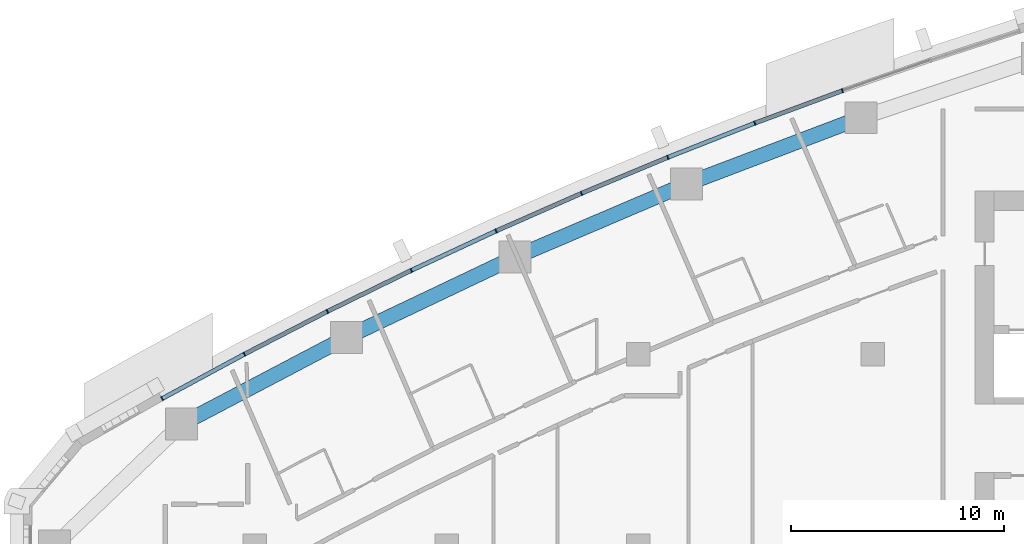
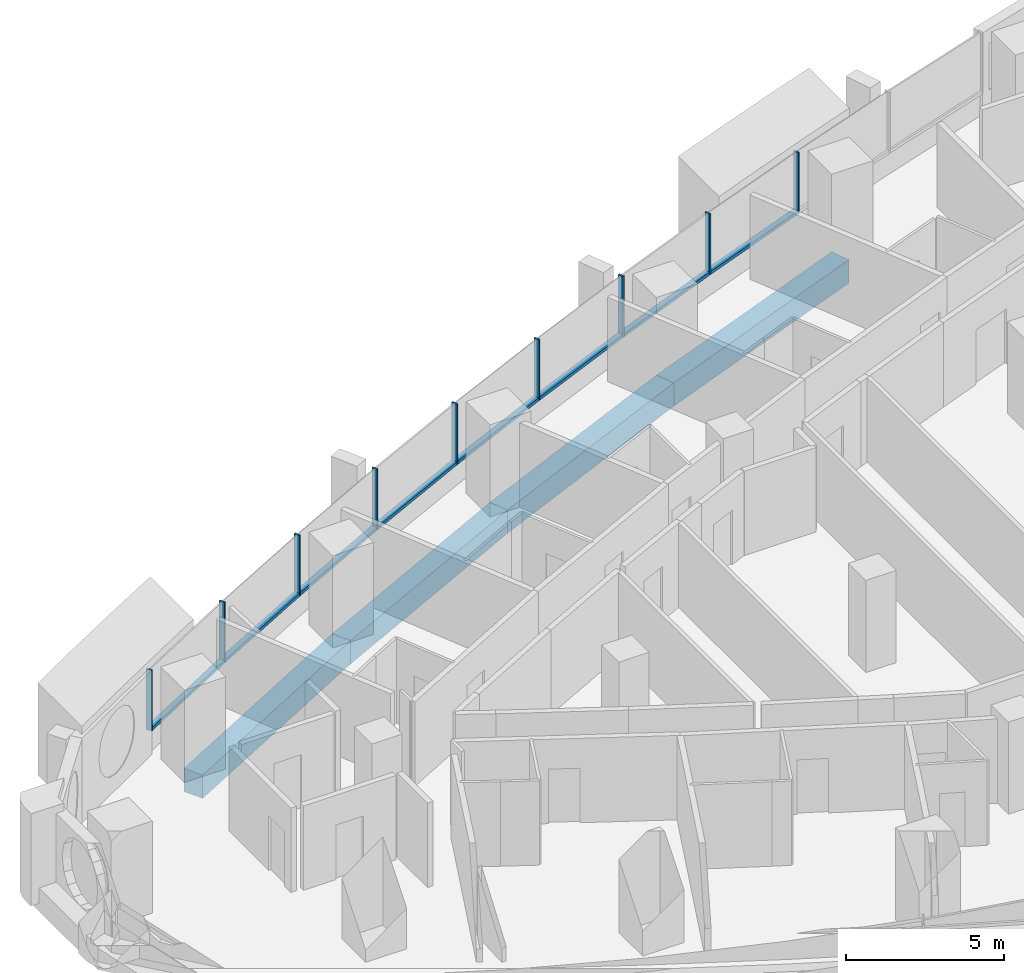
# One storey, part 5 of 17: 17 members, 4 beams, 5 elements without a shape of their own.
"""IFC4 building model written with IfcOpenShell, lengths in metres."""

from ifc_helpers import new_model, si_unit, direction, frame, origin, origin_2d, place, context, subcontext, project, spatial, rectangle, extrude, material, layer, layer_set, material_profile, profile_set, type_object, element, aggregate, save


model = new_model("IFC4")

# Units and contexts
model_context = context("Model", 3, precision=1e-05, world=origin(), true_north=direction((0.0, 1.0)))
body_context = subcontext(model_context, "Body", "Model", "MODEL_VIEW")
ifc_project = project(units=[si_unit("LENGTHUNIT", "METRE"), si_unit("AREAUNIT", "SQUARE_METRE"), si_unit("VOLUMEUNIT", "CUBIC_METRE"), si_unit("PLANEANGLEUNIT", "RADIAN"), si_unit("MASSUNIT", "GRAM", prefix="KILO")], contexts=[model_context])

# Site, building, storey
site_placement = place(None, origin())
site = spatial("IfcSite", under=ifc_project, at=site_placement, CompositionType="ELEMENT")
building_placement = place(site_placement, origin())
building = spatial("IfcBuilding", under=site, at=building_placement, Name="Ostrand Prow Hotel Tower", CompositionType="ELEMENT")
storey_placement = place(building_placement, frame((0.0, 0.0, 140.85009765625)))
storey = spatial("IfcBuildingStorey", under=building, at=storey_placement, Name="L34", CompositionType="ELEMENT", Elevation=140.85009765625)

# Beams
ifc_material_1 = material(Name="Concrete C70/85", Category="concrete")
ifc_material_profile_1 = material_profile(ifc_material_1, rectangle(XDim=0.699951171875, YDim=0.89990234375, at=origin_2d()), Name="RC 700x900")
ifc_profile_set_1 = profile_set([ifc_material_profile_1], Name="Concrete C70/85")
beam_type = type_object("IfcBeamType", Name="Edge beam 700x900 C70/85", PredefinedType="SPANDREL", material=ifc_profile_set_1)
for number, where, z_axis, x_axis, name in (
    (1, (44.438232421875, 20.093017578125, -0.75), (-0.93479358236, -0.355191439055, 0.0), (0.355191439055, -0.93479358236, 0.0), "Edge beam N2-N3"),
    (2, (36.255615234375, 16.98388671875, -0.75), (-0.919700966994, -0.392619575811, 0.0), (0.392619575811, -0.919700966994, 0.0), "Edge beam N3-N4"),
    (3, (28.205078125, 13.547119140625, -0.75), (-0.903083113352, -0.429465819803, 0.0), (0.429465819803, -0.903083113352, 0.0), "Edge beam N4-N5"),
    (4, (20.300048828125, 9.787841796875, -0.75), (-0.885016215308, -0.465560198731, 0.0), (0.465560198731, -0.885016215308, 0.0), "Edge beam N5-N6"),
):
    element("IfcBeam", number, at=place(storey_placement, frame(where, z_axis=z_axis, x_axis=x_axis)), inside=storey, type_object=beam_type, Name=name, PredefinedType="SPANDREL", context=body_context, shape_type="SweptSolid", body=[
        extrude(rectangle(XDim=0.699951171875, YDim=0.89990234375, at=origin_2d()), origin(), (0.0, 0.0, 1.0), 8.75341796875),
    ])

# Curtain wall, member
ifc_material_2 = material(Name="Insulated glass in bronze anodised frame", Category="glass")
ifc_layer = layer(ifc_material_2, 0.199951171875)
ifc_layer_set = layer_set([ifc_layer], Name="Insulated glass in bronze anodised frame")
curtain_wall_type = type_object("IfcCurtainWallType", Name="Strip curtain wall, fritted glass over bronze spandrel", PredefinedType="NOTDEFINED", material=ifc_layer_set)
curtain_wall_1_placement = place(storey_placement, origin())
curtain_wall_1 = element("IfcCurtainWall", 5, at=curtain_wall_1_placement, inside=storey, type_object=curtain_wall_type, Name="CW1 run CWN1", PredefinedType="NOTDEFINED")
ifc_material_3 = material(Name="Bronze anodised aluminium", Category="aluminium")
ifc_material_profile_2 = material_profile(ifc_material_3, rectangle(XDim=0.199951171875, YDim=0.06005859375, at=origin_2d()), Name="Mullion 60x200 bronze anodised aluminium")
ifc_profile_set_2 = profile_set([ifc_material_profile_2], Name="Bronze anodised aluminium")
member_type_1 = type_object("IfcMemberType", Name="Mullion 60x200 bronze anodised aluminium", PredefinedType="MULLION", material=ifc_profile_set_2)
member_1_placement = place(storey_placement, frame((43.5751953125, 21.3642578125, 0.89990234375), z_axis=(0.0, 0.0, 1.0), x_axis=(0.328428177424, -0.944528947293, 0.0)))
member_1 = element("IfcMember", 6, at=member_1_placement, type_object=member_type_1, Name="CW1 mullion 3", PredefinedType="MULLION", context=body_context, shape_type="SweptSolid", body=[
    extrude(rectangle(XDim=0.199951171875, YDim=0.06005859375, at=origin_2d()), origin(), (0.0, 0.0, 1.0), 2.35009765625),
])
aggregate(curtain_wall_1, [member_1])

# Curtain wall, members
curtain_wall_2_placement = place(storey_placement, origin())
curtain_wall_2 = element("IfcCurtainWall", 7, at=curtain_wall_2_placement, inside=storey, type_object=curtain_wall_type, Name="CW1 run CWN2", PredefinedType="NOTDEFINED")
member_2_placement = place(storey_placement, frame((39.462158203125, 19.8408203125, 0.89990234375), z_axis=(0.0, 0.0, 1.0), x_axis=(0.366116334636, -0.930569089059, 0.0)))
member_2 = element("IfcMember", 8, at=member_2_placement, type_object=member_type_1, Name="CW1 mullion 2", PredefinedType="MULLION", context=body_context, shape_type="SweptSolid", body=[
    extrude(rectangle(XDim=0.199951171875, YDim=0.06005859375, at=origin_2d()), origin(), (0.0, 0.0, 1.0), 2.35009765625),
])
member_3_placement = place(storey_placement, frame((35.380615234375, 18.235107421875, 0.89990234375), z_axis=(0.0, 0.0, 1.0), x_axis=(0.366116334636, -0.930569089059, 0.0)))
member_3 = element("IfcMember", 9, at=member_3_placement, type_object=member_type_1, Name="CW1 mullion 3", PredefinedType="MULLION", context=body_context, shape_type="SweptSolid", body=[
    extrude(rectangle(XDim=0.199951171875, YDim=0.06005859375, at=origin_2d()), origin(), (0.0, 0.0, 1.0), 2.35009765625),
])

curtain_wall_3_placement = place(storey_placement, origin())
curtain_wall_3 = element("IfcCurtainWall", 10, at=curtain_wall_3_placement, inside=storey, type_object=curtain_wall_type, Name="CW1 run CWN3", PredefinedType="NOTDEFINED")
member_4_placement = place(storey_placement, frame((31.332275390625, 16.54736328125, 0.89990234375), z_axis=(0.0, 0.0, 1.0), x_axis=(0.403213113347, -0.915106105993, 0.0)))
member_4 = element("IfcMember", 11, at=member_4_placement, type_object=member_type_1, Name="CW1 mullion 2", PredefinedType="MULLION", context=body_context, shape_type="SweptSolid", body=[
    extrude(rectangle(XDim=0.199951171875, YDim=0.06005859375, at=origin_2d()), origin(), (0.0, 0.0, 1.0), 2.35009765625),
])
member_5_placement = place(storey_placement, frame((27.318359375, 14.77880859375, 0.89990234375), z_axis=(0.0, 0.0, 1.0), x_axis=(0.403213113347, -0.915106105993, 0.0)))
member_5 = element("IfcMember", 12, at=member_5_placement, type_object=member_type_1, Name="CW1 mullion 3", PredefinedType="MULLION", context=body_context, shape_type="SweptSolid", body=[
    extrude(rectangle(XDim=0.199951171875, YDim=0.06005859375, at=origin_2d()), origin(), (0.0, 0.0, 1.0), 2.35009765625),
])

curtain_wall_4_placement = place(storey_placement, origin())
curtain_wall_4 = element("IfcCurtainWall", 13, at=curtain_wall_4_placement, inside=storey, type_object=curtain_wall_type, Name="CW1 run CWN4", PredefinedType="NOTDEFINED")
member_6_placement = place(storey_placement, frame((23.341064453125, 12.93017578125, 0.89990234375), z_axis=(0.0, 0.0, 1.0), x_axis=(0.439658592061, -0.898164975061, 0.0)))
member_6 = element("IfcMember", 14, at=member_6_placement, type_object=member_type_1, Name="CW1 mullion 2", PredefinedType="MULLION", context=body_context, shape_type="SweptSolid", body=[
    extrude(rectangle(XDim=0.199951171875, YDim=0.06005859375, at=origin_2d()), origin(), (0.0, 0.0, 1.0), 2.35009765625),
])
member_7_placement = place(storey_placement, frame((19.401611328125, 11.001708984375, 0.89990234375), z_axis=(0.0, 0.0, 1.0), x_axis=(0.439658592061, -0.898164975061, 0.0)))
member_7 = element("IfcMember", 15, at=member_7_placement, type_object=member_type_1, Name="CW1 mullion 3", PredefinedType="MULLION", context=body_context, shape_type="SweptSolid", body=[
    extrude(rectangle(XDim=0.199951171875, YDim=0.06005859375, at=origin_2d()), origin(), (0.0, 0.0, 1.0), 2.35009765625),
])

curtain_wall_5_placement = place(storey_placement, origin())
curtain_wall_5 = element("IfcCurtainWall", 16, at=curtain_wall_5_placement, inside=storey, type_object=curtain_wall_type, Name="CW1 run CWN5", PredefinedType="NOTDEFINED")
member_8_placement = place(storey_placement, frame((15.501708984375, 8.99462890625, 0.89990234375), z_axis=(0.0, 0.0, 1.0), x_axis=(0.475393901316, -0.879773060847, 0.0)))
member_8 = element("IfcMember", 17, at=member_8_placement, type_object=member_type_1, Name="CW1 mullion 2", PredefinedType="MULLION", context=body_context, shape_type="SweptSolid", body=[
    extrude(rectangle(XDim=0.199951171875, YDim=0.06005859375, at=origin_2d()), origin(), (0.0, 0.0, 1.0), 2.35009765625),
])
member_9_placement = place(storey_placement, frame((11.64306640625, 6.909423828125, 0.89990234375), z_axis=(0.0, 0.0, 1.0), x_axis=(0.475393901316, -0.879773060847, 0.0)))
member_9 = element("IfcMember", 18, at=member_9_placement, type_object=member_type_1, Name="CW1 mullion 3", PredefinedType="MULLION", context=body_context, shape_type="SweptSolid", body=[
    extrude(rectangle(XDim=0.199951171875, YDim=0.06005859375, at=origin_2d()), origin(), (0.0, 0.0, 1.0), 2.35009765625),
])

# Member
ifc_material_4 = material(Name="Bronze anodised aluminium", Category="aluminium")
ifc_material_profile_3 = material_profile(ifc_material_4, rectangle(XDim=0.199951171875, YDim=0.1201171875, at=origin_2d()), Name="Transom 120x200 bronze anodised aluminium")
ifc_profile_set_3 = profile_set([ifc_material_profile_3], Name="Bronze anodised aluminium")
member_type_2 = type_object("IfcMemberType", Name="Transom 120x200 bronze anodised aluminium", PredefinedType="USERDEFINED", material=ifc_profile_set_3)
member_10_placement = place(storey_placement, frame((43.547119140625, 21.353759765625, 0.9599609375), z_axis=(-0.937756929379, -0.347292299657, 0.0), x_axis=(0.347292299657, -0.937756929379, 0.0)))
member_10 = element("IfcMember", 19, at=member_10_placement, type_object=member_type_2, Name="CW1 transom 1.1", ObjectType="TRANSOM", PredefinedType="USERDEFINED", context=body_context, shape_type="SweptSolid", body=[
    extrude(rectangle(XDim=0.199951171875, YDim=0.1201171875, at=origin_2d()), origin(), (0.0, 0.0, 1.0), 4.326171875),
])

member_11_placement = place(storey_placement, frame((39.434326171875, 19.829833984375, 0.9599609375), z_axis=(-0.930563430162, -0.366130717701, 0.0), x_axis=(0.366130717701, -0.930563430162, 0.0)))
member_11 = element("IfcMember", 20, at=member_11_placement, type_object=member_type_2, Name="CW1 transom 2.1", ObjectType="TRANSOM", PredefinedType="USERDEFINED", context=body_context, shape_type="SweptSolid", body=[
    extrude(rectangle(XDim=0.199951171875, YDim=0.1201171875, at=origin_2d()), origin(), (0.0, 0.0, 1.0), 4.326171875),
])

aggregate(curtain_wall_2, [member_2, member_3, member_10, member_11])

member_12_placement = place(storey_placement, frame((35.352783203125, 18.223388671875, 0.9599609375), z_axis=(-0.923028493412, -0.384731595206, 0.0), x_axis=(0.384731595206, -0.923028493412, 0.0)))
member_12 = element("IfcMember", 21, at=member_12_placement, type_object=member_type_2, Name="CW1 transom 1.1", ObjectType="TRANSOM", PredefinedType="USERDEFINED", context=body_context, shape_type="SweptSolid", body=[
    extrude(rectangle(XDim=0.199951171875, YDim=0.1201171875, at=origin_2d()), origin(), (0.0, 0.0, 1.0), 4.325927734375),
])

member_13_placement = place(storey_placement, frame((31.3046875, 16.535400390625, 0.9599609375), z_axis=(-0.91509853977, -0.403230284715, 0.0), x_axis=(0.403230284715, -0.91509853977, 0.0)))
member_13 = element("IfcMember", 22, at=member_13_placement, type_object=member_type_2, Name="CW1 transom 2.1", ObjectType="TRANSOM", PredefinedType="USERDEFINED", context=body_context, shape_type="SweptSolid", body=[
    extrude(rectangle(XDim=0.199951171875, YDim=0.1201171875, at=origin_2d()), origin(), (0.0, 0.0, 1.0), 4.325927734375),
])

aggregate(curtain_wall_3, [member_4, member_5, member_12, member_13])

member_14_placement = place(storey_placement, frame((27.291259765625, 14.766357421875, 0.9599609375), z_axis=(-0.906796377468, -0.421568890944, 0.0), x_axis=(0.421568890944, -0.906796377468, 0.0)))
member_14 = element("IfcMember", 23, at=member_14_placement, type_object=member_type_2, Name="CW1 transom 1.1", ObjectType="TRANSOM", PredefinedType="USERDEFINED", context=body_context, shape_type="SweptSolid", body=[
    extrude(rectangle(XDim=0.199951171875, YDim=0.1201171875, at=origin_2d()), origin(), (0.0, 0.0, 1.0), 4.326171875),
])

member_15_placement = place(storey_placement, frame((23.314208984375, 12.9169921875, 0.9599609375), z_axis=(-0.89815413626, -0.439680733623, 0.0), x_axis=(0.439680733623, -0.89815413626, 0.0)))
member_15 = element("IfcMember", 24, at=member_15_placement, type_object=member_type_2, Name="CW1 transom 2.1", ObjectType="TRANSOM", PredefinedType="USERDEFINED", context=body_context, shape_type="SweptSolid", body=[
    extrude(rectangle(XDim=0.199951171875, YDim=0.1201171875, at=origin_2d()), origin(), (0.0, 0.0, 1.0), 4.326171875),
])

aggregate(curtain_wall_4, [member_6, member_7, member_14, member_15])

member_16_placement = place(storey_placement, frame((19.375, 10.988037109375, 0.9599609375), z_axis=(-0.88914020052, -0.457634902318, 0.0), x_axis=(0.457634902318, -0.88914020052, 0.0)))
member_16 = element("IfcMember", 25, at=member_16_placement, type_object=member_type_2, Name="CW1 transom 1.1", ObjectType="TRANSOM", PredefinedType="USERDEFINED", context=body_context, shape_type="SweptSolid", body=[
    extrude(rectangle(XDim=0.199951171875, YDim=0.1201171875, at=origin_2d()), origin(), (0.0, 0.0, 1.0), 4.325927734375),
])

member_17_placement = place(storey_placement, frame((15.475341796875, 8.980224609375, 0.9599609375), z_axis=(-0.879765206929, -0.475408435639, 0.0), x_axis=(0.475408435639, -0.879765206929, 0.0)))
member_17 = element("IfcMember", 26, at=member_17_placement, type_object=member_type_2, Name="CW1 transom 2.1", ObjectType="TRANSOM", PredefinedType="USERDEFINED", context=body_context, shape_type="SweptSolid", body=[
    extrude(rectangle(XDim=0.199951171875, YDim=0.1201171875, at=origin_2d()), origin(), (0.0, 0.0, 1.0), 4.326171875),
])

aggregate(curtain_wall_5, [member_8, member_9, member_16, member_17])

save(model, "model.ifc")
